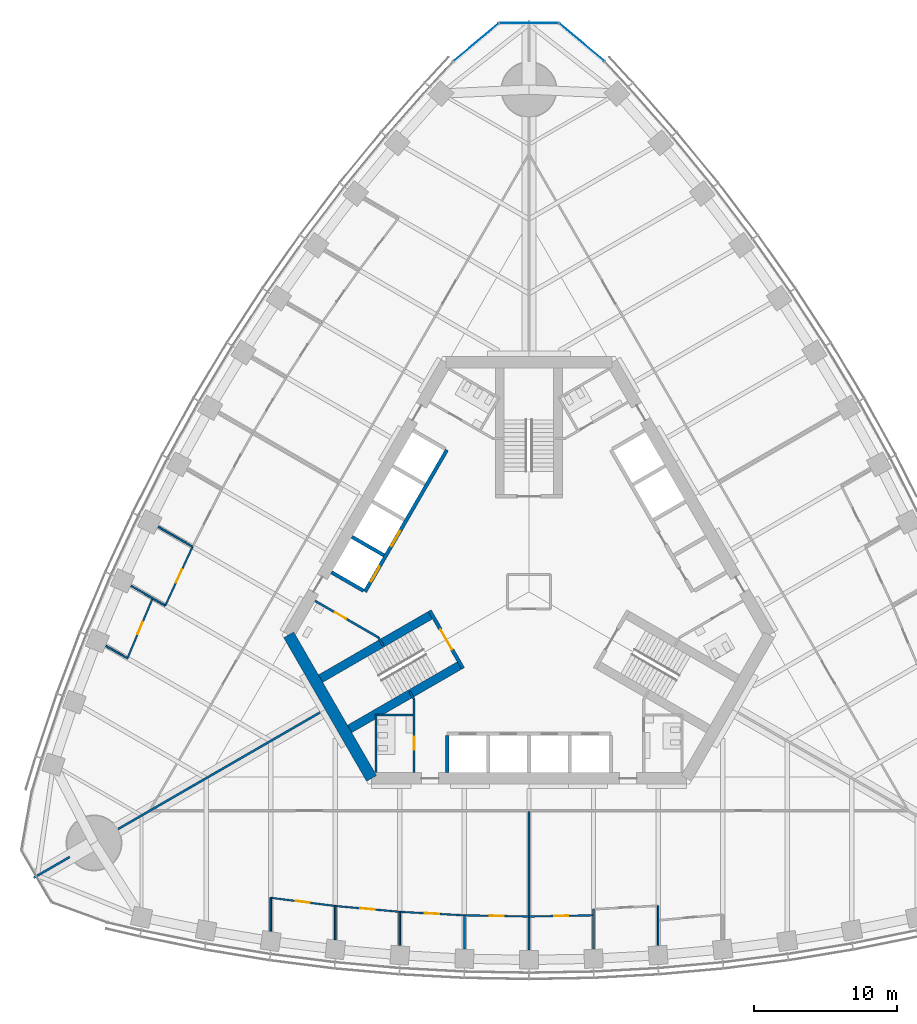
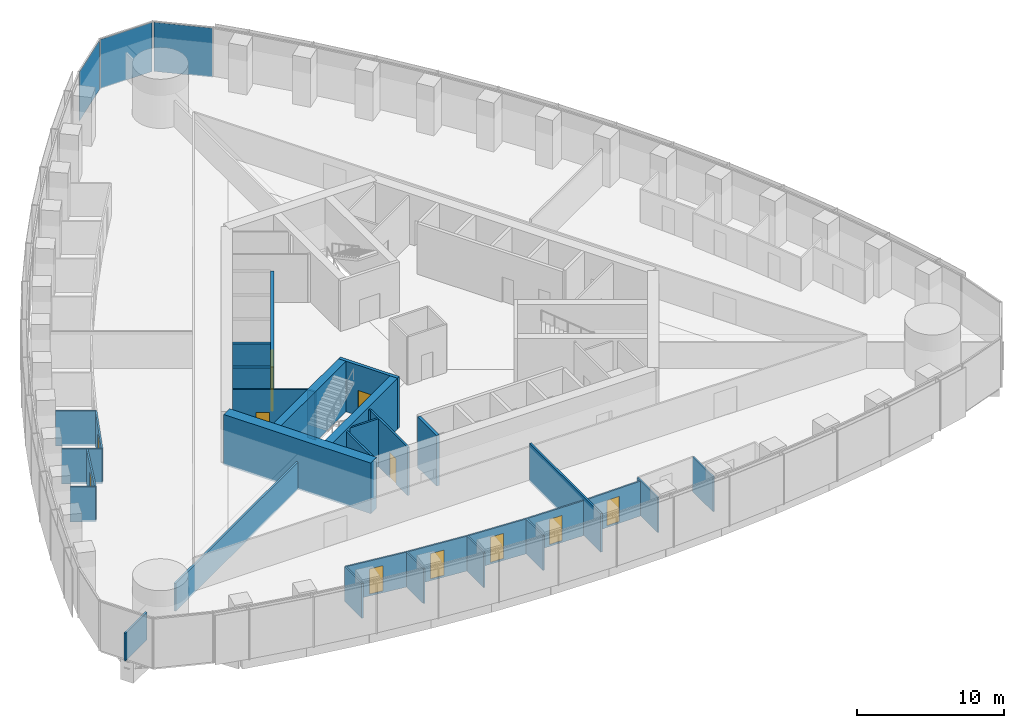
# One storey, part 11 of 19: 33 walls, 12 doors, 3 plates, 12 openings, 1 element without a shape of its own.
"""IFC4 building model written with IfcOpenShell, lengths in metres."""

from ifc_helpers import new_model, si_unit, direction, frame, frame_2d, origin, origin_2d, place, context, subcontext, project, spatial, rectangle, extrude, material, layer, layer_set, type_object, element, fill, aggregate, save


model = new_model("IFC4")

# Units and contexts
model_context = context("Model", 3, precision=1e-05, world=origin(), true_north=direction((0.0, 1.0)))
body_context = subcontext(model_context, "Body", "Model", "MODEL_VIEW")
ifc_project = project(units=[si_unit("LENGTHUNIT", "METRE"), si_unit("AREAUNIT", "SQUARE_METRE"), si_unit("VOLUMEUNIT", "CUBIC_METRE"), si_unit("PLANEANGLEUNIT", "RADIAN"), si_unit("MASSUNIT", "GRAM", prefix="KILO")], contexts=[model_context])

# Site, building, storey
site_placement = place(None, origin())
site = spatial("IfcSite", under=ifc_project, at=site_placement, CompositionType="ELEMENT")
building_placement = place(site_placement, origin())
building = spatial("IfcBuilding", under=site, at=building_placement, Name="Trefoil Bronze Tower", CompositionType="ELEMENT")
storey_placement = place(building_placement, frame((0.0, 0.0, 128.300048828125)))
storey = spatial("IfcBuildingStorey", under=building, at=storey_placement, Name="L29", CompositionType="ELEMENT", Elevation=128.300048828125)

# Curtain wall, plates
ifc_material_1 = material(Name="Tinted solar-control glass", Category="glass")
curtain_wall_type = type_object("IfcCurtainWallType", Name="Bronze rounded corner curtain wall", PredefinedType="USERDEFINED", material=ifc_material_1)
curtain_wall_placement = place(storey_placement, origin())
curtain_wall = element("IfcCurtainWall", 1, at=curtain_wall_placement, inside=storey, type_object=curtain_wall_type, Name="CW-B L29 K2", ObjectType="CURTAIN WALL", PredefinedType="USERDEFINED")
ifc_material_2 = material(Name="Tinted solar-control glass", Category="glass")
ifc_layer_1 = layer(ifc_material_2, 0.030029296875)
ifc_layer_set_1 = layer_set([ifc_layer_1], Name="Bronze rounded corner curtain wall glass panel")
plate_type = type_object("IfcPlateType", Name="Bronze rounded corner curtain wall glass panel", PredefinedType="CURTAIN_PANEL", material=ifc_layer_set_1)
plate_1_placement = place(storey_placement, frame((3.6884765625, 38.294921875, 0.0), z_axis=(0.0, 0.0, 1.0), x_axis=(-0.766044443119, 0.642787609687, 0.0)))
plate_1 = element("IfcPlate", 2, at=plate_1_placement, type_object=plate_type, Name="CW-B L29 K2 panel 1", PredefinedType="CURTAIN_PANEL", context=body_context, shape_type="SweptSolid", body=[
    extrude(rectangle(XDim=4.044189453125, YDim=0.030029296875, at=origin_2d()), origin(), (0.0, 0.0, 1.0), 4.080078125),
])
plate_2_placement = place(storey_placement, frame((0.0, 39.637451171875, 0.0), z_axis=(0.0, 0.0, 1.0), x_axis=(-1.0, 0.0, 0.0)))
plate_2 = element("IfcPlate", 3, at=plate_2_placement, type_object=plate_type, Name="CW-B L29 K2 panel 2", PredefinedType="CURTAIN_PANEL", context=body_context, shape_type="SweptSolid", body=[
    extrude(rectangle(XDim=4.044189453125, YDim=0.030029296875, at=origin_2d()), origin(), (0.0, 0.0, 1.0), 4.080078125),
])
plate_3_placement = place(storey_placement, frame((-3.6884765625, 38.294921875, 0.0), z_axis=(0.0, 0.0, 1.0), x_axis=(-0.766044443119, -0.642787609687, 0.0)))
plate_3 = element("IfcPlate", 4, at=plate_3_placement, type_object=plate_type, Name="CW-B L29 K2 panel 3", PredefinedType="CURTAIN_PANEL", context=body_context, shape_type="SweptSolid", body=[
    extrude(rectangle(XDim=4.044189453125, YDim=0.030029296875, at=origin_2d()), origin(), (0.0, 0.0, 1.0), 4.080078125),
])
aggregate(curtain_wall, [plate_1, plate_2, plate_3])

# Wall
ifc_material_3 = material(Name="Concrete B80", Category="concrete")
ifc_layer_2 = layer(ifc_material_3, 0.800048828125)
ifc_layer_set_2 = layer_set([ifc_layer_2], Name="Core wall 800")
wall_type_1 = type_object("IfcWallType", Name="Core wall 800", PredefinedType="SHEAR", material=ifc_layer_set_2)
wall_1_placement = place(storey_placement, frame((-16.7431640625, -3.0, 0.0), z_axis=(0.0, 0.0, 1.0), x_axis=(0.499995765644, -0.866027848477, 0.0)))
element("IfcWall", 5, at=wall_1_placement, inside=storey, type_object=wall_type_1, Name="Core short wall 3 L29", PredefinedType="SHEAR", context=body_context, shape_type="SweptSolid", body=[
    extrude(rectangle(XDim=11.546875, YDim=0.800048828125, at=frame_2d((5.7734375, 0.0))), origin(), (0.0, 0.0, 1.0), 4.199951171875),
])

# Wall, opening, door
ifc_material_4 = material(Name="Glazed partition", Category="glass")
ifc_layer_3 = layer(ifc_material_4, 0.1201171875)
ifc_layer_set_3 = layer_set([ifc_layer_3], Name="Glazed partition 120")
wall_type_2 = type_object("IfcWallType", Name="Glazed partition 120", PredefinedType="PARTITIONING", material=ifc_layer_set_3)
wall_2_placement = place(storey_placement, frame((0.0, -22.624755859375, 0.0), z_axis=(0.0, 0.0, 1.0), x_axis=(0.999836842422, 0.018063458579, 0.0)))
wall_2 = element("IfcWall", 6, at=wall_2_placement, inside=storey, type_object=wall_type_2, Name="Partition F1 L29", PredefinedType="PARTITIONING", context=body_context, shape_type="SweptSolid", body=[
    extrude(rectangle(XDim=4.500732421875, YDim=0.1201171875, at=frame_2d((2.25048828125, 0.0))), origin(), (0.0, 0.0, 1.0), 2.89990234375),
])
opening_1_placement = place(wall_2_placement, frame((1.75, 0.0, 0.14990234375)))
opening_1 = element("IfcOpeningElement", 7, at=opening_1_placement, cuts=wall_2, Name="Opening D9", PredefinedType="OPENING", context=body_context, shape_type="SweptSolid", body=[
    extrude(rectangle(XDim=1.0, YDim=2.10009765625, at=frame_2d((0.5, 1.050048828125))), frame((0.0, 0.070068359375, 0.0), z_axis=(0.0, -1.0, 0.0), x_axis=(1.0, 0.0, 0.0)), (0.0, 0.0, 1.0), 0.14013671875),
])
ifc_material_5 = material(Name="Glazed timber door", Category="wood")
door_type_1 = type_object("IfcDoorType", Name="Meeting room door 1000", OperationType="SINGLE_SWING_LEFT", PredefinedType="DOOR", material=ifc_material_5)
door_1_placement = place(opening_1_placement, frame((1.0, 0.0, 0.0), z_axis=(0.0, 0.0, 1.0), x_axis=(-1.0, 0.0, 0.0)))
door_1 = element("IfcDoor", 8, at=door_1_placement, inside=storey, type_object=door_type_1, Name="Project room door F1 L29", OperationType="SINGLE_SWING_RIGHT", OverallHeight=2.10009765625, OverallWidth=1.0, PredefinedType="DOOR", context=body_context, shape_type="SweptSolid", body=[
    extrude(rectangle(XDim=1.0, YDim=2.10009765625, at=frame_2d((0.5, 1.050048828125))), frame((0.0, 0.02490234375, 0.0), z_axis=(0.0, -1.0, 0.0), x_axis=(1.0, 0.0, 0.0)), (0.0, 0.0, 1.0), 0.050048828125),
])
fill(opening_1, door_1)

wall_3_placement = place(storey_placement, frame((-13.5, -21.892822265625, 0.0), z_axis=(0.0, 0.0, 1.0), x_axis=(0.995935173755, -0.090072913121, 0.0)))
wall_3 = element("IfcWall", 9, at=wall_3_placement, inside=storey, type_object=wall_type_2, Name="Partition F1 L29", PredefinedType="PARTITIONING", context=body_context, shape_type="SweptSolid", body=[
    extrude(rectangle(XDim=4.518310546875, YDim=0.1201171875, at=frame_2d((2.25927734375, 0.0))), origin(), (0.0, 0.0, 1.0), 2.89990234375),
])
opening_2_placement = place(wall_3_placement, frame((1.75, 0.0, 0.14990234375)))
opening_2 = element("IfcOpeningElement", 10, at=opening_2_placement, cuts=wall_3, Name="Opening D9", PredefinedType="OPENING", context=body_context, shape_type="SweptSolid", body=[
    extrude(rectangle(XDim=1.0, YDim=2.10009765625, at=frame_2d((0.5, 1.050048828125))), frame((0.0, 0.070068359375, 0.0), z_axis=(0.0, -1.0, 0.0), x_axis=(1.0, 0.0, 0.0)), (0.0, 0.0, 1.0), 0.14013671875),
])
door_2_placement = place(opening_2_placement, frame((1.0, 0.0, 0.0), z_axis=(0.0, 0.0, 1.0), x_axis=(-1.0, 0.0, 0.0)))
door_2 = element("IfcDoor", 11, at=door_2_placement, inside=storey, type_object=door_type_1, Name="Project room door F1 L29", OperationType="SINGLE_SWING_RIGHT", OverallHeight=2.10009765625, OverallWidth=1.0, PredefinedType="DOOR", context=body_context, shape_type="SweptSolid", body=[
    extrude(rectangle(XDim=1.0, YDim=2.10009765625, at=frame_2d((0.5, 1.050048828125))), frame((0.0, 0.02490234375, 0.0), z_axis=(0.0, -1.0, 0.0), x_axis=(1.0, 0.0, 0.0)), (0.0, 0.0, 1.0), 0.050048828125),
])
fill(opening_2, door_2)

wall_4_placement = place(storey_placement, frame((-18.0, -21.320556640625, 0.0), z_axis=(0.0, 0.0, 1.0), x_axis=(0.992010652594, -0.12615413247, 0.0)))
wall_4 = element("IfcWall", 12, at=wall_4_placement, inside=storey, type_object=wall_type_2, Name="Partition F1 L29", PredefinedType="PARTITIONING", context=body_context, shape_type="SweptSolid", body=[
    extrude(rectangle(XDim=4.5361328125, YDim=0.1201171875, at=frame_2d((2.26806640625, 0.0))), origin(), (0.0, 0.0, 1.0), 2.89990234375),
])
opening_3_placement = place(wall_4_placement, frame((1.75, 0.0, 0.14990234375)))
opening_3 = element("IfcOpeningElement", 13, at=opening_3_placement, cuts=wall_4, Name="Opening D9", PredefinedType="OPENING", context=body_context, shape_type="SweptSolid", body=[
    extrude(rectangle(XDim=1.0, YDim=2.10009765625, at=frame_2d((0.5, 1.050048828125))), frame((0.0, 0.070068359375, 0.0), z_axis=(0.0, -1.0, 0.0), x_axis=(1.0, 0.0, 0.0)), (0.0, 0.0, 1.0), 0.14013671875),
])
door_3_placement = place(opening_3_placement, frame((1.0, 0.0, 0.0), z_axis=(0.0, 0.0, 1.0), x_axis=(-1.0, 0.0, 0.0)))
door_3 = element("IfcDoor", 14, at=door_3_placement, inside=storey, type_object=door_type_1, Name="Project room door F1 L29", OperationType="SINGLE_SWING_RIGHT", OverallHeight=2.10009765625, OverallWidth=1.0, PredefinedType="DOOR", context=body_context, shape_type="SweptSolid", body=[
    extrude(rectangle(XDim=1.0, YDim=2.10009765625, at=frame_2d((0.5, 1.050048828125))), frame((0.0, 0.02490234375, 0.0), z_axis=(0.0, -1.0, 0.0), x_axis=(1.0, 0.0, 0.0)), (0.0, 0.0, 1.0), 0.050048828125),
])
fill(opening_3, door_3)

wall_5_placement = place(storey_placement, frame((-4.5, -22.54345703125, 0.0), z_axis=(0.0, 0.0, 1.0), x_axis=(0.999836842422, -0.018063458579, 0.0)))
wall_5 = element("IfcWall", 15, at=wall_5_placement, inside=storey, type_object=wall_type_2, Name="Partition F1 L29", PredefinedType="PARTITIONING", context=body_context, shape_type="SweptSolid", body=[
    extrude(rectangle(XDim=4.500732421875, YDim=0.1201171875, at=frame_2d((2.25048828125, 0.0))), origin(), (0.0, 0.0, 1.0), 2.89990234375),
])
opening_4_placement = place(wall_5_placement, frame((1.75, 0.0, 0.14990234375)))
opening_4 = element("IfcOpeningElement", 16, at=opening_4_placement, cuts=wall_5, Name="Opening D9", PredefinedType="OPENING", context=body_context, shape_type="SweptSolid", body=[
    extrude(rectangle(XDim=1.0, YDim=2.10009765625, at=frame_2d((0.5, 1.050048828125))), frame((0.0, 0.070068359375, 0.0), z_axis=(0.0, -1.0, 0.0), x_axis=(1.0, 0.0, 0.0)), (0.0, 0.0, 1.0), 0.14013671875),
])
door_4_placement = place(opening_4_placement, frame((1.0, 0.0, 0.0), z_axis=(0.0, 0.0, 1.0), x_axis=(-1.0, 0.0, 0.0)))
door_4 = element("IfcDoor", 17, at=door_4_placement, inside=storey, type_object=door_type_1, Name="Project room door F1 L29", OperationType="SINGLE_SWING_RIGHT", OverallHeight=2.10009765625, OverallWidth=1.0, PredefinedType="DOOR", context=body_context, shape_type="SweptSolid", body=[
    extrude(rectangle(XDim=1.0, YDim=2.10009765625, at=frame_2d((0.5, 1.050048828125))), frame((0.0, 0.02490234375, 0.0), z_axis=(0.0, -1.0, 0.0), x_axis=(1.0, 0.0, 0.0)), (0.0, 0.0, 1.0), 0.050048828125),
])
fill(opening_4, door_4)

wall_6_placement = place(storey_placement, frame((-9.0, -22.2998046875, 0.0), z_axis=(0.0, 0.0, 1.0), x_axis=(0.998537376538, -0.054065771581, 0.0)))
wall_6 = element("IfcWall", 18, at=wall_6_placement, inside=storey, type_object=wall_type_2, Name="Partition F1 L29", PredefinedType="PARTITIONING", context=body_context, shape_type="SweptSolid", body=[
    extrude(rectangle(XDim=4.506591796875, YDim=0.1201171875, at=frame_2d((2.25341796875, 0.0))), origin(), (0.0, 0.0, 1.0), 2.89990234375),
])
opening_5_placement = place(wall_6_placement, frame((1.75, 0.0, 0.14990234375)))
opening_5 = element("IfcOpeningElement", 19, at=opening_5_placement, cuts=wall_6, Name="Opening D9", PredefinedType="OPENING", context=body_context, shape_type="SweptSolid", body=[
    extrude(rectangle(XDim=1.0, YDim=2.10009765625, at=frame_2d((0.5, 1.050048828125))), frame((0.0, 0.070068359375, 0.0), z_axis=(0.0, -1.0, 0.0), x_axis=(1.0, 0.0, 0.0)), (0.0, 0.0, 1.0), 0.14013671875),
])
door_5_placement = place(opening_5_placement, frame((1.0, 0.0, 0.0), z_axis=(0.0, 0.0, 1.0), x_axis=(-1.0, 0.0, 0.0)))
door_5 = element("IfcDoor", 20, at=door_5_placement, inside=storey, type_object=door_type_1, Name="Project room door F1 L29", OperationType="SINGLE_SWING_RIGHT", OverallHeight=2.10009765625, OverallWidth=1.0, PredefinedType="DOOR", context=body_context, shape_type="SweptSolid", body=[
    extrude(rectangle(XDim=1.0, YDim=2.10009765625, at=frame_2d((0.5, 1.050048828125))), frame((0.0, 0.02490234375, 0.0), z_axis=(0.0, -1.0, 0.0), x_axis=(1.0, 0.0, 0.0)), (0.0, 0.0, 1.0), 0.050048828125),
])
fill(opening_5, door_5)

# Walls
wall_7_placement = place(storey_placement, frame((4.5, -22.11865234375, 0.0), z_axis=(0.0, 0.0, 1.0), x_axis=(0.0, -1.0, 0.0)))
element("IfcWall", 21, at=wall_7_placement, inside=storey, type_object=wall_type_2, Name="Partition F1 L29", PredefinedType="PARTITIONING", context=body_context, shape_type="SweptSolid", body=[
    extrude(rectangle(XDim=2.76904296875, YDim=0.1201171875, at=frame_2d((1.384521484375, 0.0))), origin(), (0.0, 0.0, 1.0), 2.89990234375),
])
wall_8_placement = place(storey_placement, frame((9.0, -21.875, 0.0), z_axis=(0.0, 0.0, 1.0), x_axis=(0.0, -1.0, 0.0)))
element("IfcWall", 22, at=wall_8_placement, inside=storey, type_object=wall_type_2, Name="Partition F1 L29", PredefinedType="PARTITIONING", context=body_context, shape_type="SweptSolid", body=[
    extrude(rectangle(XDim=2.76611328125, YDim=0.1201171875, at=frame_2d((1.383056640625, 0.0))), origin(), (0.0, 0.0, 1.0), 2.89990234375),
])
wall_9_placement = place(storey_placement, frame((-13.5, -21.892822265625, 0.0), z_axis=(0.0, 0.0, 1.0), x_axis=(0.0, -1.0, 0.0)))
element("IfcWall", 23, at=wall_9_placement, inside=storey, type_object=wall_type_2, Name="Partition F1 L29", PredefinedType="PARTITIONING", context=body_context, shape_type="SweptSolid", body=[
    extrude(rectangle(XDim=2.33642578125, YDim=0.1201171875, at=frame_2d((1.168212890625, 0.0))), origin(), (0.0, 0.0, 1.0), 2.89990234375),
])
wall_10_placement = place(storey_placement, frame((-18.0, -21.320556640625, 0.0), z_axis=(0.0, 0.0, 1.0), x_axis=(0.0, -1.0, 0.0)))
element("IfcWall", 24, at=wall_10_placement, inside=storey, type_object=wall_type_2, Name="Partition F1 L29", PredefinedType="PARTITIONING", context=body_context, shape_type="SweptSolid", body=[
    extrude(rectangle(XDim=2.32958984375, YDim=0.1201171875, at=frame_2d((1.164794921875, 0.0))), origin(), (0.0, 0.0, 1.0), 2.89990234375),
])
wall_11_placement = place(storey_placement, frame((-4.5, -22.54345703125, 0.0), z_axis=(0.0, 0.0, 1.0), x_axis=(0.0, -1.0, 0.0)))
element("IfcWall", 25, at=wall_11_placement, inside=storey, type_object=wall_type_2, Name="Partition F1 L29", PredefinedType="PARTITIONING", context=body_context, shape_type="SweptSolid", body=[
    extrude(rectangle(XDim=2.34423828125, YDim=0.1201171875, at=frame_2d((1.172119140625, 0.0))), origin(), (0.0, 0.0, 1.0), 2.89990234375),
])
wall_12_placement = place(storey_placement, frame((-9.0, -22.2998046875, 0.0), z_axis=(0.0, 0.0, 1.0), x_axis=(0.0, -1.0, 0.0)))
element("IfcWall", 26, at=wall_12_placement, inside=storey, type_object=wall_type_2, Name="Partition F1 L29", PredefinedType="PARTITIONING", context=body_context, shape_type="SweptSolid", body=[
    extrude(rectangle(XDim=2.34130859375, YDim=0.1201171875, at=frame_2d((1.170654296875, 0.0))), origin(), (0.0, 0.0, 1.0), 2.89990234375),
])

# Wall, opening, door
wall_13_placement = place(storey_placement, frame((-26.22509765625, -0.447509765625, 0.0), z_axis=(0.0, 0.0, 1.0), x_axis=(-0.386762112496, -0.922179520667, 0.0)))
wall_13 = element("IfcWall", 27, at=wall_13_placement, inside=storey, type_object=wall_type_2, Name="Partition F3 L29", PredefinedType="PARTITIONING", context=body_context, shape_type="SweptSolid", body=[
    extrude(rectangle(XDim=4.5361328125, YDim=0.1201171875, at=frame_2d((2.26806640625, 0.0))), origin(), (0.0, 0.0, 1.0), 2.89990234375),
])
opening_6_placement = place(wall_13_placement, frame((1.800048828125, 0.0, 0.14990234375)))
opening_6 = element("IfcOpeningElement", 28, at=opening_6_placement, cuts=wall_13, Name="Opening D8", PredefinedType="OPENING", context=body_context, shape_type="SweptSolid", body=[
    extrude(rectangle(XDim=0.89990234375, YDim=2.10009765625, at=frame_2d((0.449951171875, 1.050048828125))), frame((0.0, 0.070068359375, 0.0), z_axis=(0.0, -1.0, 0.0), x_axis=(1.0, 0.0, 0.0)), (0.0, 0.0, 1.0), 0.14013671875),
])
ifc_material_6 = material(Name="Timber door", Category="wood")
door_type_2 = type_object("IfcDoorType", Name="Office door 900", OperationType="SINGLE_SWING_LEFT", PredefinedType="DOOR", material=ifc_material_6)
door_6_placement = place(opening_6_placement, frame((0.89990234375, 0.0, 0.0), z_axis=(0.0, 0.0, 1.0), x_axis=(-1.0, 0.0, 0.0)))
door_6 = element("IfcDoor", 29, at=door_6_placement, inside=storey, type_object=door_type_2, Name="Pantry door F3 L29", OperationType="SINGLE_SWING_RIGHT", OverallHeight=2.10009765625, OverallWidth=0.89990234375, PredefinedType="DOOR", context=body_context, shape_type="SweptSolid", body=[
    extrude(rectangle(XDim=0.89990234375, YDim=2.10009765625, at=frame_2d((0.449951171875, 1.050048828125))), frame((0.0, 0.02490234375, 0.0), z_axis=(0.0, -1.0, 0.0), x_axis=(1.0, 0.0, 0.0)), (0.0, 0.0, 1.0), 0.050048828125),
])
fill(opening_6, door_6)

wall_14_placement = place(storey_placement, frame((-23.4443359375, 3.143310546875, 0.0), z_axis=(0.0, 0.0, 1.0), x_axis=(-0.419883773418, -0.907577884713, 0.0)))
wall_14 = element("IfcWall", 30, at=wall_14_placement, inside=storey, type_object=wall_type_2, Name="Partition F3 L29", PredefinedType="PARTITIONING", context=body_context, shape_type="SweptSolid", body=[
    extrude(rectangle(XDim=4.5185546875, YDim=0.1201171875, at=frame_2d((2.25927734375, 0.0))), origin(), (0.0, 0.0, 1.0), 2.89990234375),
])
opening_7_placement = place(wall_14_placement, frame((1.75, 0.0, 0.14990234375)))
opening_7 = element("IfcOpeningElement", 31, at=opening_7_placement, cuts=wall_14, Name="Opening D9", PredefinedType="OPENING", context=body_context, shape_type="SweptSolid", body=[
    extrude(rectangle(XDim=1.0, YDim=2.10009765625, at=frame_2d((0.5, 1.050048828125))), frame((0.0, 0.070068359375, 0.0), z_axis=(0.0, -1.0, 0.0), x_axis=(1.0, 0.0, 0.0)), (0.0, 0.0, 1.0), 0.14013671875),
])
door_7_placement = place(opening_7_placement, frame((1.0, 0.0, 0.0), z_axis=(0.0, 0.0, 1.0), x_axis=(-1.0, 0.0, 0.0)))
door_7 = element("IfcDoor", 32, at=door_7_placement, inside=storey, type_object=door_type_1, Name="Meeting room door F3 L29", OperationType="SINGLE_SWING_RIGHT", OverallHeight=2.10009765625, OverallWidth=1.0, PredefinedType="DOOR", context=body_context, shape_type="SweptSolid", body=[
    extrude(rectangle(XDim=1.0, YDim=2.10009765625, at=frame_2d((0.5, 1.050048828125))), frame((0.0, 0.02490234375, 0.0), z_axis=(0.0, -1.0, 0.0), x_axis=(1.0, 0.0, 0.0)), (0.0, 0.0, 1.0), 0.050048828125),
])
fill(opening_7, door_7)

# Walls
wall_15_placement = place(storey_placement, frame((-25.341552734375, -0.95751953125, 0.0), z_axis=(0.0, 0.0, 1.0), x_axis=(-0.866014808974, 0.500018350302, 0.0)))
element("IfcWall", 33, at=wall_15_placement, inside=storey, type_object=wall_type_2, Name="Partition F3 L29", PredefinedType="PARTITIONING", context=body_context, shape_type="SweptSolid", body=[
    extrude(rectangle(XDim=2.76171875, YDim=0.1201171875, at=frame_2d((1.380859375, 0.0))), origin(), (0.0, 0.0, 1.0), 2.89990234375),
])
wall_16_placement = place(storey_placement, frame((-27.9794921875, -4.630615234375, 0.0), z_axis=(0.0, 0.0, 1.0), x_axis=(-0.866016800201, 0.500014901547, 0.0)))
element("IfcWall", 34, at=wall_16_placement, inside=storey, type_object=wall_type_2, Name="Partition F3 L29", PredefinedType="PARTITIONING", context=body_context, shape_type="SweptSolid", body=[
    extrude(rectangle(XDim=1.734375, YDim=0.1201171875, at=frame_2d((0.8671875, 0.0))), origin(), (0.0, 0.0, 1.0), 2.89990234375),
])
wall_17_placement = place(storey_placement, frame((-23.4443359375, 3.143310546875, 0.0), z_axis=(0.0, 0.0, 1.0), x_axis=(-0.866023907196, 0.500002592159, 0.0)))
element("IfcWall", 35, at=wall_17_placement, inside=storey, type_object=wall_type_2, Name="Partition F3 L29", PredefinedType="PARTITIONING", context=body_context, shape_type="SweptSolid", body=[
    extrude(rectangle(XDim=2.76611328125, YDim=0.1201171875, at=frame_2d((1.383056640625, 0.0))), origin(), (0.0, 0.0, 1.0), 2.89990234375),
])

# Wall, opening, door
ifc_material_7 = material(Name="Gypsum board on steel studs", Category="steel")
ifc_layer_4 = layer(ifc_material_7, 0.14990234375)
ifc_layer_set_4 = layer_set([ifc_layer_4], Name="Partition 150")
wall_type_3 = type_object("IfcWallType", Name="Partition 150", PredefinedType="PARTITIONING", material=ifc_layer_set_4)
wall_18_placement = place(storey_placement, frame((-8.0, -7.5, 0.0), z_axis=(0.0, 0.0, 1.0), x_axis=(0.0, -1.0, 0.0)))
wall_18 = element("IfcWall", 36, at=wall_18_placement, inside=storey, type_object=wall_type_3, Name="Passage wall F1- L29", PredefinedType="PARTITIONING", context=body_context, shape_type="SweptSolid", body=[
    extrude(rectangle(XDim=5.10009765625, YDim=0.14990234375, at=frame_2d((2.550048828125, 0.0))), origin(), (0.0, 0.0, 1.0), 4.0),
])
opening_8_placement = place(wall_18_placement, frame((2.60009765625, 0.0, 0.0)))
opening_8 = element("IfcOpeningElement", 37, at=opening_8_placement, cuts=wall_18, Name="Opening D3", PredefinedType="OPENING", context=body_context, shape_type="SweptSolid", body=[
    extrude(rectangle(XDim=0.89990234375, YDim=2.10009765625, at=frame_2d((0.449951171875, 1.050048828125))), frame((0.0, 0.0849609375, 0.0), z_axis=(0.0, -1.0, 0.0), x_axis=(1.0, 0.0, 0.0)), (0.0, 0.0, 1.0), 0.169921875),
])
ifc_material_8 = material(Name="Timber door", Category="wood")
door_type_3 = type_object("IfcDoorType", Name="WC door 900", OperationType="SINGLE_SWING_LEFT", PredefinedType="DOOR", material=ifc_material_8)
door_8_placement = place(opening_8_placement, frame((0.89990234375, 0.0, 0.0), z_axis=(0.0, 0.0, 1.0), x_axis=(-1.0, 0.0, 0.0)))
door_8 = element("IfcDoor", 38, at=door_8_placement, inside=storey, type_object=door_type_3, Name="WC (women) door L29", OperationType="SINGLE_SWING_RIGHT", OverallHeight=2.10009765625, OverallWidth=0.89990234375, PredefinedType="DOOR", context=body_context, shape_type="SweptSolid", body=[
    extrude(rectangle(XDim=0.89990234375, YDim=2.10009765625, at=frame_2d((0.449951171875, 1.050048828125))), frame((0.0, 0.02490234375, 0.0), z_axis=(0.0, -1.0, 0.0), x_axis=(1.0, 0.0, 0.0)), (0.0, 0.0, 1.0), 0.050048828125),
])
fill(opening_8, door_8)

wall_19_placement = place(storey_placement, frame((-10.4951171875, -3.17822265625, 0.0), z_axis=(0.0, 0.0, 1.0), x_axis=(-0.86602216432, 0.500005610874, 0.0)))
wall_19 = element("IfcWall", 39, at=wall_19_placement, inside=storey, type_object=wall_type_3, Name="Passage wall F3+ L29", PredefinedType="PARTITIONING", context=body_context, shape_type="SweptSolid", body=[
    extrude(rectangle(XDim=5.10009765625, YDim=0.14990234375, at=frame_2d((2.550048828125, 0.0))), origin(), (0.0, 0.0, 1.0), 4.0),
])
opening_9_placement = place(wall_19_placement, frame((2.60009765625, 0.0, 0.0)))
opening_9 = element("IfcOpeningElement", 40, at=opening_9_placement, cuts=wall_19, Name="Opening D3", PredefinedType="OPENING", context=body_context, shape_type="SweptSolid", body=[
    extrude(rectangle(XDim=0.89990234375, YDim=2.10009765625, at=frame_2d((0.449951171875, 1.050048828125))), frame((0.0, 0.0849609375, 0.0), z_axis=(0.0, -1.0, 0.0), x_axis=(1.0, 0.0, 0.0)), (0.0, 0.0, 1.0), 0.169921875),
])
door_9_placement = place(opening_9_placement, origin())
door_9 = element("IfcDoor", 41, at=door_9_placement, inside=storey, type_object=door_type_3, Name="Accessible WC door L29", OperationType="SINGLE_SWING_RIGHT", OverallHeight=2.10009765625, OverallWidth=0.89990234375, PredefinedType="DOOR", context=body_context, shape_type="SweptSolid", body=[
    extrude(rectangle(XDim=0.89990234375, YDim=2.10009765625, at=frame_2d((0.449951171875, 1.050048828125))), frame((0.0, 0.02490234375, 0.0), z_axis=(0.0, -1.0, 0.0), x_axis=(1.0, 0.0, 0.0)), (0.0, 0.0, 1.0), 0.050048828125),
])
fill(opening_9, door_9)

# Walls
for number, where, z_axis, x_axis, name in (
    (42, (-10.4951171875, -3.17822265625, 0.0), (0.0, 0.0, 1.0), (0.499842556608, -0.866116284689, 0.0), "WC wall ST3-1 L29"),
    (43, (-8.0, -7.5, 0.0), (0.0, 0.0, 1.0), (-0.499842556608, 0.866116284689, 0.0), "WC wall ST3+1 L29"),
):
    element("IfcWall", number, at=place(storey_placement, frame(where, z_axis=z_axis, x_axis=x_axis)), inside=storey, type_object=wall_type_3, Name=name, PredefinedType="PARTITIONING", context=body_context, shape_type="SweptSolid", body=[
        extrude(rectangle(XDim=0.645263671875, YDim=0.14990234375, at=frame_2d((0.32275390625, 0.0))), origin(), (0.0, 0.0, 1.0), 4.0),
    ])
wall_20_placement = place(storey_placement, frame((-10.659912109375, -8.5, 0.0), z_axis=(0.0, 0.0, 1.0), x_axis=(0.0, -1.0, 0.0)))
element("IfcWall", 44, at=wall_20_placement, inside=storey, type_object=wall_type_3, Name="WC partition WC (women) L29", PredefinedType="PARTITIONING", context=body_context, shape_type="SweptSolid", body=[
    extrude(rectangle(XDim=4.10009765625, YDim=0.14990234375, at=frame_2d((2.050048828125, 0.0))), origin(), (0.0, 0.0, 1.0), 4.0),
])
wall_21_placement = place(storey_placement, frame((-8.074951171875, -8.574951171875, 0.0), z_axis=(0.0, 0.0, 1.0), x_axis=(-1.0, 0.0, 0.0)))
element("IfcWall", 45, at=wall_21_placement, inside=storey, type_object=wall_type_3, Name="WC partition WC (women) L29", PredefinedType="PARTITIONING", context=body_context, shape_type="SweptSolid", body=[
    extrude(rectangle(XDim=2.510009765625, YDim=0.14990234375, at=frame_2d((1.2548828125, 0.0))), origin(), (0.0, 0.0, 1.0), 4.0),
])
ifc_material_9 = material(Name="Gypsum board on steel studs", Category="steel")
ifc_layer_5 = layer(ifc_material_9, 0.14990234375)
ifc_layer_set_5 = layer_set([ifc_layer_5], Name="Party wall 150")
wall_type_4 = type_object("IfcWallType", Name="Party wall 150", PredefinedType="PARTITIONING", material=ifc_layer_set_5)
wall_22_placement = place(storey_placement, frame((-14.202880859375, -8.199951171875, 0.0), z_axis=(0.0, 0.0, 1.0), x_axis=(-0.866024668836, -0.500001272966, 0.0)))
element("IfcWall", 46, at=wall_22_placement, inside=storey, type_object=wall_type_4, Name="Party wall K3 L29", PredefinedType="PARTITIONING", context=body_context, shape_type="SweptSolid", body=[
    extrude(rectangle(XDim=16.64990234375, YDim=0.14990234375, at=frame_2d((8.324951171875, 0.0))), origin(), (0.0, 0.0, 1.0), 2.300048828125),
])
wall_23_placement = place(storey_placement, frame((-31.999755859375, -18.47509765625, 0.0), z_axis=(0.0, 0.0, 1.0), x_axis=(-0.866042548026, -0.499970304126, 0.0)))
element("IfcWall", 47, at=wall_23_placement, inside=storey, type_object=wall_type_4, Name="Party wall K3 L29", PredefinedType="PARTITIONING", context=body_context, shape_type="SweptSolid", body=[
    extrude(rectangle(XDim=2.899169921875, YDim=0.14990234375, at=frame_2d((1.44970703125, 0.0))), origin(), (0.0, 0.0, 1.0), 2.300048828125),
])
wall_24_placement = place(storey_placement, frame((0.0, -15.320068359375, 0.0), z_axis=(0.0, 0.0, 1.0), x_axis=(0.0, -1.0, 0.0)))
element("IfcWall", 48, at=wall_24_placement, inside=storey, type_object=wall_type_4, Name="Demising wall F1 L29", PredefinedType="PARTITIONING", context=body_context, shape_type="SweptSolid", body=[
    extrude(rectangle(XDim=9.649658203125, YDim=0.14990234375, at=frame_2d((4.82470703125, 0.0))), origin(), (0.0, 0.0, 1.0), 3.199951171875),
])
ifc_material_10 = material(Name="Concrete B80", Category="concrete")
ifc_layer_6 = layer(ifc_material_10, 0.25)
ifc_layer_set_6 = layer_set([ifc_layer_6], Name="Shaft wall 250")
wall_type_5 = type_object("IfcWallType", Name="Shaft wall 250", PredefinedType="SHEAR", material=ifc_layer_set_6)
wall_25_placement = place(storey_placement, frame((-5.699951171875, -10.02490234375, 0.0), z_axis=(0.0, 0.0, 1.0), x_axis=(0.0, -1.0, 0.0)))
element("IfcWall", 49, at=wall_25_placement, inside=storey, type_object=wall_type_5, Name="Lift shaft side wall A0 L29", PredefinedType="SHEAR", context=body_context, shape_type="SweptSolid", body=[
    extrude(rectangle(XDim=2.5751953125, YDim=0.25, at=frame_2d((1.28759765625, 0.0))), origin(), (0.0, 0.0, 1.0), 4.199951171875),
])

# Wall, openings, doors
wall_26_placement = place(storey_placement, frame((-5.7236328125, 9.88623046875, 0.0), z_axis=(0.0, 0.0, 1.0), x_axis=(-0.500001763848, -0.866024385424, 0.0)))
wall_26 = element("IfcWall", 50, at=wall_26_placement, inside=storey, type_object=wall_type_5, Name="Lift shaft front wall C L29", PredefinedType="SHEAR", context=body_context, shape_type="SweptSolid", body=[
    extrude(rectangle(XDim=11.39990234375, YDim=0.25, at=frame_2d((5.699951171875, 0.0))), origin(), (0.0, 0.0, 1.0), 4.199951171875),
])
opening_10_placement = place(wall_26_placement, frame((6.52490234375, 0.0, 0.0)))
opening_10 = element("IfcOpeningElement", 51, at=opening_10_placement, cuts=wall_26, Name="Opening LD-FL1", PredefinedType="OPENING", context=body_context, shape_type="SweptSolid", body=[
    extrude(rectangle(XDim=1.199951171875, YDim=2.199951171875, at=frame_2d((0.60009765625, 1.10009765625))), frame((0.0, 0.135009765625, 0.0), z_axis=(0.0, -1.0, 0.0), x_axis=(1.0, 0.0, 0.0)), (0.0, 0.0, 1.0), 0.27001953125),
])
opening_11_placement = place(wall_26_placement, frame((9.375, 0.0, 0.0)))
opening_11 = element("IfcOpeningElement", 52, at=opening_11_placement, cuts=wall_26, Name="Opening LD-FL2", PredefinedType="OPENING", context=body_context, shape_type="SweptSolid", body=[
    extrude(rectangle(XDim=1.199951171875, YDim=2.199951171875, at=frame_2d((0.60009765625, 1.10009765625))), frame((0.0, 0.135009765625, 0.0), z_axis=(0.0, -1.0, 0.0), x_axis=(1.0, 0.0, 0.0)), (0.0, 0.0, 1.0), 0.27001953125),
])
ifc_material_11 = material(Name="Steel door", Category="steel")
door_type_4 = type_object("IfcDoorType", Name="Lift landing door 1200", OperationType="DOUBLE_DOOR_SLIDING", PredefinedType="DOOR", material=ifc_material_11)
door_10_placement = place(opening_10_placement, origin())
door_10 = element("IfcDoor", 53, at=door_10_placement, inside=storey, type_object=door_type_4, Name="Lift FL1 landing door L29", OperationType="DOUBLE_DOOR_SLIDING", OverallHeight=2.199951171875, OverallWidth=1.199951171875, PredefinedType="DOOR", context=body_context, shape_type="SweptSolid", body=[
    extrude(rectangle(XDim=1.199951171875, YDim=2.199951171875, at=frame_2d((0.60009765625, 1.10009765625))), frame((0.0, 0.02490234375, 0.0), z_axis=(0.0, -1.0, 0.0), x_axis=(1.0, 0.0, 0.0)), (0.0, 0.0, 1.0), 0.050048828125),
])
fill(opening_10, door_10)
door_11_placement = place(opening_11_placement, origin())
door_11 = element("IfcDoor", 54, at=door_11_placement, inside=storey, type_object=door_type_4, Name="Lift FL2 landing door L29", OperationType="DOUBLE_DOOR_SLIDING", OverallHeight=2.199951171875, OverallWidth=1.199951171875, PredefinedType="DOOR", context=body_context, shape_type="SweptSolid", body=[
    extrude(rectangle(XDim=1.199951171875, YDim=2.199951171875, at=frame_2d((0.60009765625, 1.10009765625))), frame((0.0, 0.02490234375, 0.0), z_axis=(0.0, -1.0, 0.0), x_axis=(1.0, 0.0, 0.0)), (0.0, 0.0, 1.0), 0.050048828125),
])
fill(opening_11, door_11)

# Walls
for number, where, z_axis, x_axis, name in (
    (55, (-10.10693359375, 2.54443359375, 0.0), (0.0, 0.0, 1.0), (-0.866046643894, 0.499963209246, 0.0), "Lift shaft side wall C3 L29"),
    (56, (-11.531982421875, 0.076171875, 0.0), (0.0, 0.0, 1.0), (-0.866005588531, 0.500034319456, 0.0), "Lift shaft side wall C4 L29"),
):
    element("IfcWall", number, at=place(storey_placement, frame(where, z_axis=z_axis, x_axis=x_axis)), inside=storey, type_object=wall_type_5, Name=name, PredefinedType="SHEAR", context=body_context, shape_type="SweptSolid", body=[
        extrude(rectangle(XDim=2.574951171875, YDim=0.25, at=frame_2d((1.28759765625, 0.0))), origin(), (0.0, 0.0, 1.0), 4.199951171875),
    ])

# Wall, opening, door
wall_27_placement = place(storey_placement, frame((-6.921630859375, -1.3115234375, 0.0), z_axis=(0.0, 0.0, 1.0), x_axis=(0.499984536904, -0.866034331223, 0.0)))
wall_27 = element("IfcWall", 57, at=wall_27_placement, inside=storey, type_object=wall_type_5, Name="Stair end wall ST3 L29", PredefinedType="SHEAR", context=body_context, shape_type="SweptSolid", body=[
    extrude(rectangle(XDim=4.650146484375, YDim=0.25, at=frame_2d((2.3251953125, 0.0))), origin(), (0.0, 0.0, 1.0), 4.199951171875),
])
opening_12_placement = place(wall_27_placement, frame((1.52490234375, 0.0, 0.0)))
opening_12 = element("IfcOpeningElement", 58, at=opening_12_placement, cuts=wall_27, Name="Opening D1", PredefinedType="OPENING", context=body_context, shape_type="SweptSolid", body=[
    extrude(rectangle(XDim=1.60009765625, YDim=2.10009765625, at=frame_2d((0.800048828125, 1.050048828125))), frame((0.0, 0.135009765625, 0.0), z_axis=(0.0, -1.0, 0.0), x_axis=(1.0, 0.0, 0.0)), (0.0, 0.0, 1.0), 0.27001953125),
])
ifc_material_12 = material(Name="Steel door", Category="steel")
door_type_5 = type_object("IfcDoorType", Name="Stair door 1600", OperationType="DOUBLE_DOOR_SINGLE_SWING", PredefinedType="DOOR", material=ifc_material_12)
door_12_placement = place(opening_12_placement, frame((1.60009765625, 0.0, 0.0), z_axis=(0.0, 0.0, 1.0), x_axis=(-1.0, 0.0, 0.0)))
door_12 = element("IfcDoor", 59, at=door_12_placement, inside=storey, type_object=door_type_5, Name="Stair door ST3 L29", OperationType="DOUBLE_DOOR_SINGLE_SWING", OverallHeight=2.10009765625, OverallWidth=1.60009765625, PredefinedType="DOOR", context=body_context, shape_type="SweptSolid", body=[
    extrude(rectangle(XDim=1.60009765625, YDim=2.10009765625, at=frame_2d((0.800048828125, 1.050048828125))), frame((0.0, 0.02490234375, 0.0), z_axis=(0.0, -1.0, 0.0), x_axis=(1.0, 0.0, 0.0)), (0.0, 0.0, 1.0), 0.050048828125),
])
fill(opening_12, door_12)

# Walls
ifc_material_13 = material(Name="Concrete B80", Category="concrete")
ifc_layer_7 = layer(ifc_material_13, 0.60009765625)
ifc_layer_set_7 = layer_set([ifc_layer_7], Name="Stair wall 600")
wall_type_6 = type_object("IfcWallType", Name="Stair wall 600", PredefinedType="SHEAR", material=ifc_layer_set_7)
for number, where, z_axis, x_axis, name in (
    (60, (-6.663330078125, -1.5087890625, 0.0), (0.0, 0.0, 1.0), (-0.866019375473, -0.500010441196, 0.0), "Stair wall ST3 L29"),
    (61, (-4.638427734375, -5.01611328125, 0.0), (0.0, 0.0, 1.0), (-0.866019375473, -0.500010441196, 0.0), "Stair wall ST3 L29"),
):
    element("IfcWall", number, at=place(storey_placement, frame(where, z_axis=z_axis, x_axis=x_axis)), inside=storey, type_object=wall_type_6, Name=name, PredefinedType="SHEAR", context=body_context, shape_type="SweptSolid", body=[
        extrude(rectangle(XDim=9.074951171875, YDim=0.60009765625, at=frame_2d((4.53759765625, 0.0))), origin(), (0.0, 0.0, 1.0), 4.199951171875),
    ])

save(model, "model.ifc")
